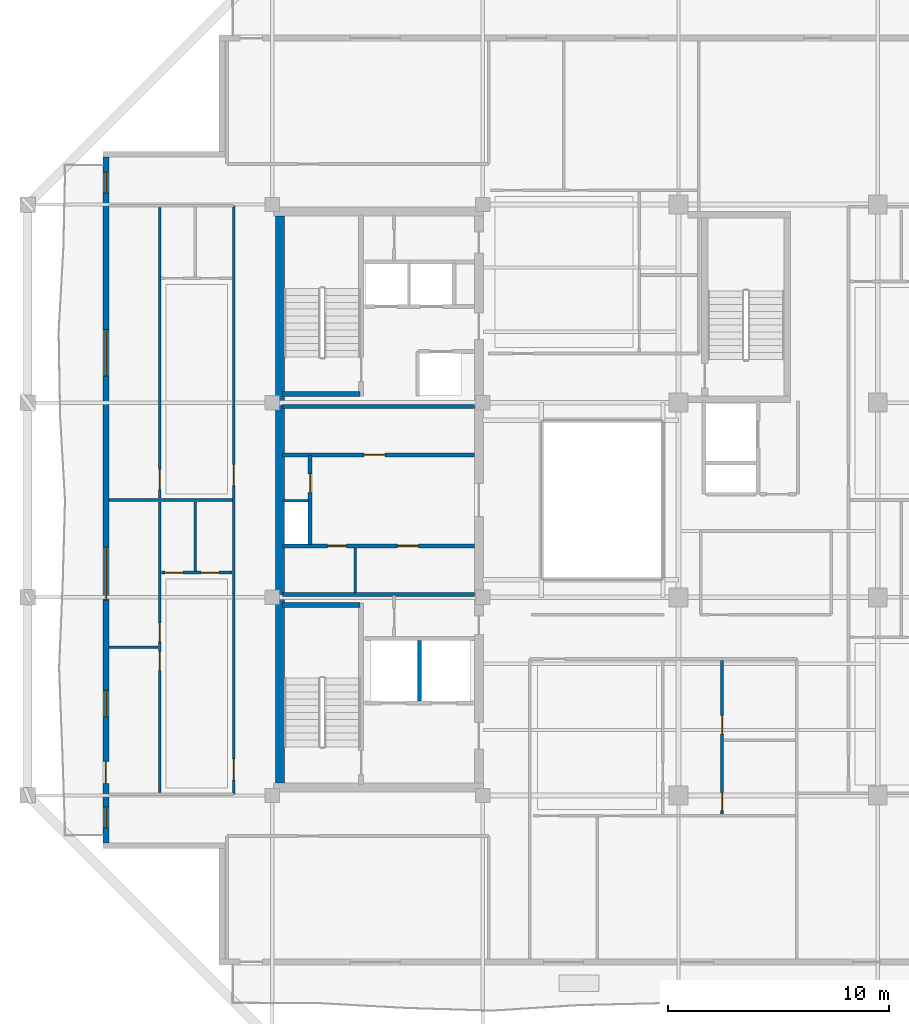
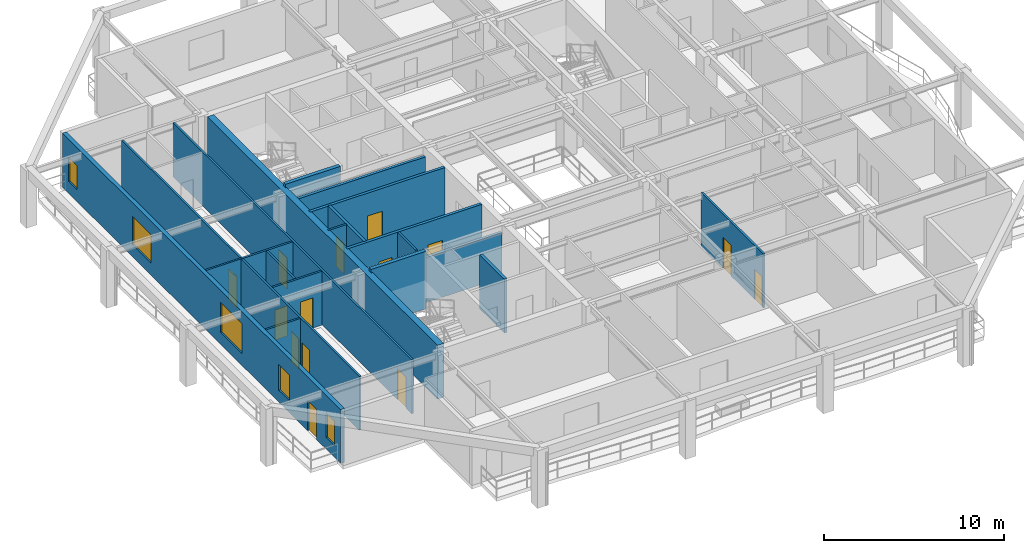
# One storey, part 3 of 11: 20 walls, 14 doors, 5 windows, 19 openings.
"""IFC4 building model written with IfcOpenShell, lengths in metres."""

from ifc_helpers import new_model, si_unit, direction, frame, frame_2d, origin, place, context, subcontext, project, spatial, rectangle, extrude, material, layer, layer_set, type_object, element, fill, save


model = new_model("IFC4")

# Units and contexts
model_context = context("Model", 3, precision=1e-05, world=origin(), true_north=direction((0.0, 1.0)))
body_context = subcontext(model_context, "Body", "Model", "MODEL_VIEW")
ifc_project = project(units=[si_unit("LENGTHUNIT", "METRE"), si_unit("AREAUNIT", "SQUARE_METRE"), si_unit("VOLUMEUNIT", "CUBIC_METRE"), si_unit("PLANEANGLEUNIT", "RADIAN"), si_unit("MASSUNIT", "GRAM", prefix="KILO")], contexts=[model_context])

# Site, building, storey
site_placement = place(None, origin())
site = spatial("IfcSite", under=ifc_project, at=site_placement, CompositionType="ELEMENT")
building_placement = place(site_placement, origin())
building = spatial("IfcBuilding", under=site, at=building_placement, Name="Kundavana Baori Tower", CompositionType="ELEMENT")
storey_placement = place(building_placement, frame((0.0, 0.0, 218.0)))
storey = spatial("IfcBuildingStorey", under=building, at=storey_placement, Name="L53", CompositionType="ELEMENT", Elevation=218.0)

# Walls
ifc_material_1 = material(Name="Concrete C50/60", Category="concrete")
ifc_layer_1 = layer(ifc_material_1, 0.39990234375, Name="WL-CORE-400")
ifc_layer_set_1 = layer_set([ifc_layer_1], Name="Concrete C50/60")
wall_type_1 = type_object("IfcWallType", Name="WL-CORE-400", PredefinedType="SHEAR", material=ifc_layer_set_1)
wall_1_placement = place(storey_placement, frame((15.7900390625, 15.81005859375, 0.0), z_axis=(0.0, 0.0, 1.0), x_axis=(0.0, 1.0, 0.0)))
element("IfcWall", 1, at=wall_1_placement, inside=storey, type_object=wall_type_1, Name="L53 Offset Core West Shear Wall", PredefinedType="SHEAR", context=body_context, shape_type="SweptSolid", body=[
    extrude(rectangle(XDim=25.6298828125, YDim=0.39990234375, at=frame_2d((12.81494140625, 0.0))), origin(), (0.0, 0.0, 1.0), 3.659912109375),
])
for number, where, z_axis, x_axis, name in (
    (2, (15.89990234375, 23.860107421875, 0.0), (0.0, 0.0, 1.0), (1.0, 0.0, 0.0), "WL-L53-ST1-N"),
    (3, (15.89990234375, 33.389892578125, 0.0), (0.0, 0.0, 1.0), (1.0, 0.0, 0.0), "WL-L53-ST2-S"),
):
    element("IfcWall", number, at=place(storey_placement, frame(where, z_axis=z_axis, x_axis=x_axis)), inside=storey, type_object=wall_type_1, Name=name, PredefinedType="SHEAR", context=body_context, shape_type="SweptSolid", body=[
        extrude(rectangle(XDim=3.52001953125, YDim=0.239990234375, at=frame_2d((1.760009765625, 0.0))), origin(), (0.0, 0.0, 1.0), 3.89990234375),
    ])

# Wall, openings, door, windows
ifc_material_2 = material(Name="Kiln-Fired Terracotta Brick-Slip Masonry on Concrete C40/50", Category="masonry")
ifc_layer_2 = layer(ifc_material_2, 0.260009765625, Name="WL-EXT-BRK-260")
ifc_layer_set_2 = layer_set([ifc_layer_2], Name="Kiln-Fired Terracotta Brick-Slip Masonry on Concrete C40/50")
wall_type_2 = type_object("IfcWallType", Name="WL-EXT-BRK-260", PredefinedType="SOLIDWALL", material=ifc_layer_set_2)
wall_2_placement = place(storey_placement, frame((7.929931640625, 44.090087890625, 0.0), z_axis=(0.0, 0.0, 1.0), x_axis=(0.0, -1.0, 0.0)))
wall_2 = element("IfcWall", 4, at=wall_2_placement, inside=storey, type_object=wall_type_2, Name="L53 Exterior Insulated Facade Wall 10", PredefinedType="SOLIDWALL", context=body_context, shape_type="SweptSolid", body=[
    extrude(rectangle(XDim=30.97998046875, YDim=0.260009765625, at=frame_2d((15.489990234375, 0.0))), origin(), (0.0, 0.0, 1.0), 3.659912109375),
])
opening_1_placement = place(wall_2_placement, frame((29.35498046875, 0.0, 0.800048828125)))
opening_1 = element("IfcOpeningElement", 5, at=opening_1_placement, cuts=wall_2, Name="Opening W-13", PredefinedType="OPENING", context=body_context, shape_type="SweptSolid", body=[
    extrude(rectangle(XDim=0.949951171875, YDim=1.64990234375, at=frame_2d((0.47509765625, 0.824951171875))), frame((0.0, 0.14013671875, 0.0), z_axis=(0.0, -1.0, 0.0), x_axis=(1.0, 0.0, 0.0)), (0.0, 0.0, 1.0), 0.280029296875),
])
opening_2_placement = place(wall_2_placement, frame((27.300048828125, 0.0, 0.0)))
opening_2 = element("IfcOpeningElement", 6, at=opening_2_placement, cuts=wall_2, Name="Opening BD-1", PredefinedType="OPENING", context=body_context, shape_type="SweptSolid", body=[
    extrude(rectangle(XDim=1.0, YDim=2.050048828125, at=frame_2d((0.5, 1.02490234375))), frame((0.0, 0.14013671875, 0.0), z_axis=(0.0, -1.0, 0.0), x_axis=(1.0, 0.0, 0.0)), (0.0, 0.0, 1.0), 0.280029296875),
])
opening_3_placement = place(wall_2_placement, frame((24.090087890625, 0.0, 0.800048828125)))
opening_3 = element("IfcOpeningElement", 7, at=opening_3_placement, cuts=wall_2, Name="Opening W-03", PredefinedType="OPENING", context=body_context, shape_type="SweptSolid", body=[
    extrude(rectangle(XDim=1.199951171875, YDim=1.75, at=frame_2d((0.60009765625, 0.875))), frame((0.0, 0.14013671875, 0.0), z_axis=(0.0, -1.0, 0.0), x_axis=(1.0, 0.0, 0.0)), (0.0, 0.0, 1.0), 0.280029296875),
])
opening_4_placement = place(wall_2_placement, frame((17.614990234375, 0.0, 0.800048828125)))
opening_4 = element("IfcOpeningElement", 8, at=opening_4_placement, cuts=wall_2, Name="Opening W-04", PredefinedType="OPENING", context=body_context, shape_type="SweptSolid", body=[
    extrude(rectangle(XDim=2.39990234375, YDim=2.050048828125, at=frame_2d((1.199951171875, 1.02490234375))), frame((0.0, 0.14013671875, 0.0), z_axis=(0.0, -1.0, 0.0), x_axis=(1.0, 0.0, 0.0)), (0.0, 0.0, 1.0), 0.280029296875),
])
opening_5_placement = place(wall_2_placement, frame((7.7900390625, 0.0, 0.800048828125)))
opening_5 = element("IfcOpeningElement", 9, at=opening_5_placement, cuts=wall_2, Name="Opening W-05", PredefinedType="OPENING", context=body_context, shape_type="SweptSolid", body=[
    extrude(rectangle(XDim=2.10009765625, YDim=1.949951171875, at=frame_2d((1.050048828125, 0.97509765625))), frame((0.0, 0.14013671875, 0.0), z_axis=(0.0, -1.0, 0.0), x_axis=(1.0, 0.0, 0.0)), (0.0, 0.0, 1.0), 0.280029296875),
])
opening_6_placement = place(wall_2_placement, frame((0.675048828125, 0.0, 0.800048828125)))
opening_6 = element("IfcOpeningElement", 10, at=opening_6_placement, cuts=wall_2, Name="Opening W-13", PredefinedType="OPENING", context=body_context, shape_type="SweptSolid", body=[
    extrude(rectangle(XDim=0.949951171875, YDim=1.64990234375, at=frame_2d((0.47509765625, 0.824951171875))), frame((0.0, 0.14013671875, 0.0), z_axis=(0.0, -1.0, 0.0), x_axis=(1.0, 0.0, 0.0)), (0.0, 0.0, 1.0), 0.280029296875),
])
ifc_material_3 = material(Name="Architectural Patinated Bronze Metalwork")
door_type_1 = type_object("IfcDoorType", Name="DR-EXT-LOG-1000", OperationType="NOTDEFINED", PredefinedType="DOOR", material=ifc_material_3)
door_1_placement = place(opening_2_placement, frame((1.0, 0.0, 0.0), z_axis=(0.0, 0.0, 1.0), x_axis=(-1.0, 0.0, 0.0)))
door_1 = element("IfcDoor", 11, at=door_1_placement, inside=storey, type_object=door_type_1, Name="L53 Loggia Balcony Access Door W", OperationType="SINGLE_SWING_LEFT", OverallHeight=2.050048828125, OverallWidth=1.0, PredefinedType="DOOR", context=body_context, shape_type="SweptSolid", body=[
    extrude(rectangle(XDim=1.0, YDim=2.050048828125, at=frame_2d((0.5, 1.02490234375))), frame((0.0, 0.02490234375, 0.0), z_axis=(0.0, -1.0, 0.0), x_axis=(1.0, 0.0, 0.0)), (0.0, 0.0, 1.0), 0.050048828125),
])
fill(opening_2, door_1)
ifc_material_4 = material(Name="Double-Glazed Solar-Control Low-E Insulated Glass", Category="glass")
window_type_1 = type_object("IfcWindowType", Name="WIN-LOG-1200x1750", PartitioningType="SINGLE_PANEL", PredefinedType="WINDOW", material=ifc_material_4)
window_1_placement = place(opening_3_placement, origin())
window_1 = element("IfcWindow", 12, at=window_1_placement, inside=storey, type_object=window_type_1, Name="L53 Recessed Loggia Window W-2", OverallHeight=1.75, OverallWidth=1.199951171875, PartitioningType="SINGLE_PANEL", PredefinedType="WINDOW", context=body_context, shape_type="SweptSolid", body=[
    extrude(rectangle(XDim=1.199951171875, YDim=1.75, at=frame_2d((0.60009765625, 0.875))), frame((0.0, 0.030029296875, 0.0), z_axis=(0.0, -1.0, 0.0), x_axis=(1.0, 0.0, 0.0)), (0.0, 0.0, 1.0), 0.06005859375),
])
fill(opening_3, window_1)
ifc_material_5 = material(Name="Double-Glazed Solar-Control Low-E Insulated Glass", Category="glass")
window_type_2 = type_object("IfcWindowType", Name="WIN-LOG-2100x1950", PartitioningType="SINGLE_PANEL", PredefinedType="WINDOW", material=ifc_material_5)
window_2_placement = place(opening_5_placement, origin())
window_2 = element("IfcWindow", 13, at=window_2_placement, inside=storey, type_object=window_type_2, Name="L53 Recessed Loggia Window W-4", OverallHeight=1.949951171875, OverallWidth=2.10009765625, PartitioningType="SINGLE_PANEL", PredefinedType="WINDOW", context=body_context, shape_type="SweptSolid", body=[
    extrude(rectangle(XDim=2.10009765625, YDim=1.949951171875, at=frame_2d((1.050048828125, 0.97509765625))), frame((0.0, 0.030029296875, 0.0), z_axis=(0.0, -1.0, 0.0), x_axis=(1.0, 0.0, 0.0)), (0.0, 0.0, 1.0), 0.06005859375),
])
fill(opening_5, window_2)
ifc_material_6 = material(Name="Double-Glazed Solar-Control Low-E Insulated Glass", Category="glass")
window_type_3 = type_object("IfcWindowType", Name="WIN-LOG-2400x2050", PartitioningType="SINGLE_PANEL", PredefinedType="WINDOW", material=ifc_material_6)
window_3_placement = place(opening_4_placement, origin())
window_3 = element("IfcWindow", 14, at=window_3_placement, inside=storey, type_object=window_type_3, Name="L53 Recessed Loggia Window W-3", OverallHeight=2.050048828125, OverallWidth=2.39990234375, PartitioningType="SINGLE_PANEL", PredefinedType="WINDOW", context=body_context, shape_type="SweptSolid", body=[
    extrude(rectangle(XDim=2.39990234375, YDim=2.050048828125, at=frame_2d((1.199951171875, 1.02490234375))), frame((0.0, 0.030029296875, 0.0), z_axis=(0.0, -1.0, 0.0), x_axis=(1.0, 0.0, 0.0)), (0.0, 0.0, 1.0), 0.06005859375),
])
fill(opening_4, window_3)
ifc_material_7 = material(Name="Double-Glazed Solar-Control Low-E Insulated Glass", Category="glass")
window_type_4 = type_object("IfcWindowType", Name="WIN-LOG-950x1650", PartitioningType="SINGLE_PANEL", PredefinedType="WINDOW", material=ifc_material_7)
window_4_placement = place(opening_1_placement, origin())
window_4 = element("IfcWindow", 15, at=window_4_placement, inside=storey, type_object=window_type_4, Name="L53 Recessed Loggia Window W-1", OverallHeight=1.64990234375, OverallWidth=0.949951171875, PartitioningType="SINGLE_PANEL", PredefinedType="WINDOW", context=body_context, shape_type="SweptSolid", body=[
    extrude(rectangle(XDim=0.949951171875, YDim=1.64990234375, at=frame_2d((0.47509765625, 0.824951171875))), frame((0.0, 0.030029296875, 0.0), z_axis=(0.0, -1.0, 0.0), x_axis=(1.0, 0.0, 0.0)), (0.0, 0.0, 1.0), 0.06005859375),
])
fill(opening_1, window_4)
window_5_placement = place(opening_6_placement, origin())
window_5 = element("IfcWindow", 16, at=window_5_placement, inside=storey, type_object=window_type_4, Name="L53 Recessed Loggia Window W-5", OverallHeight=1.64990234375, OverallWidth=0.949951171875, PartitioningType="SINGLE_PANEL", PredefinedType="WINDOW", context=body_context, shape_type="SweptSolid", body=[
    extrude(rectangle(XDim=0.949951171875, YDim=1.64990234375, at=frame_2d((0.47509765625, 0.824951171875))), frame((0.0, 0.030029296875, 0.0), z_axis=(0.0, -1.0, 0.0), x_axis=(1.0, 0.0, 0.0)), (0.0, 0.0, 1.0), 0.06005859375),
])
fill(opening_6, window_5)

# Walls
ifc_material_8 = material(Name="Acoustic Gypsum Plasterboard on Galvanised Steel Studs", Category="steel")
ifc_layer_3 = layer(ifc_material_8, 0.1201171875, Name="WL-PART-120")
ifc_layer_set_3 = layer_set([ifc_layer_3], Name="Acoustic Gypsum Plasterboard on Galvanised Steel Studs")
wall_type_3 = type_object("IfcWallType", Name="WL-PART-120", PredefinedType="PARTITIONING", material=ifc_layer_set_3)
wall_3_placement = place(storey_placement, frame((19.199951171875, 24.419921875, 0.0), z_axis=(0.0, 0.0, 1.0), x_axis=(0.0, 1.0, 0.0)))
element("IfcWall", 17, at=wall_3_placement, inside=storey, type_object=wall_type_3, Name="WL-L53-FRLOW-DIV", PredefinedType="PARTITIONING", context=body_context, shape_type="SweptSolid", body=[
    extrude(rectangle(XDim=2.02001953125, YDim=0.1201171875, at=frame_2d((1.010009765625, 0.0))), origin(), (0.0, 0.0, 1.0), 3.659912109375),
])
wall_4_placement = place(storey_placement, frame((15.89990234375, 28.56005859375, 0.0), z_axis=(0.0, 0.0, 1.0), x_axis=(1.0, 0.0, 0.0)))
element("IfcWall", 18, at=wall_4_placement, inside=storey, type_object=wall_type_3, Name="WL-L53-RSRW-N", PredefinedType="PARTITIONING", context=body_context, shape_type="SweptSolid", body=[
    extrude(rectangle(XDim=1.2001953125, YDim=0.1201171875, at=frame_2d((0.60009765625, 0.0))), origin(), (0.0, 0.0, 1.0), 3.659912109375),
])

# Wall, openings, doors
wall_5_placement = place(storey_placement, frame((13.699951171875, 15.300048828125, 0.0), z_axis=(0.0, 0.0, 1.0), x_axis=(0.0, 1.0, 0.0)))
wall_5 = element("IfcWall", 19, at=wall_5_placement, inside=storey, type_object=wall_type_3, Name="WL-L53-RW", PredefinedType="PARTITIONING", context=body_context, shape_type="SweptSolid", body=[
    extrude(rectangle(XDim=26.599853515625, YDim=0.1201171875, at=frame_2d((13.2998046875, 0.0))), origin(), (0.0, 0.0, 1.0), 3.659912109375),
])
opening_7_placement = place(wall_5_placement, frame((0.64990234375, 0.0, 0.0)))
opening_7 = element("IfcOpeningElement", 20, at=opening_7_placement, cuts=wall_5, Name="Opening FD-095", PredefinedType="OPENING", context=body_context, shape_type="SweptSolid", body=[
    extrude(rectangle(XDim=0.949951171875, YDim=2.10009765625, at=frame_2d((0.47509765625, 1.050048828125))), frame((0.0, 0.070068359375, 0.0), z_axis=(0.0, -1.0, 0.0), x_axis=(1.0, 0.0, 0.0)), (0.0, 0.0, 1.0), 0.14013671875),
])
opening_8_placement = place(wall_5_placement, frame((13.949951171875, 0.0, 0.0)))
opening_8 = element("IfcOpeningElement", 21, at=opening_8_placement, cuts=wall_5, Name="Opening FD-095", PredefinedType="OPENING", context=body_context, shape_type="SweptSolid", body=[
    extrude(rectangle(XDim=0.949951171875, YDim=2.10009765625, at=frame_2d((0.47509765625, 1.050048828125))), frame((0.0, 0.070068359375, 0.0), z_axis=(0.0, -1.0, 0.0), x_axis=(1.0, 0.0, 0.0)), (0.0, 0.0, 1.0), 0.14013671875),
])
ifc_material_9 = material(Name="Engineered Teak Fire-Rated Timber Door Leaf", Category="wood")
door_type_2 = type_object("IfcDoorType", Name="DR-FD60-950", OperationType="NOTDEFINED", PredefinedType="DOOR", material=ifc_material_9)
door_2_placement = place(opening_7_placement, frame((0.949951171875, 0.0, 0.0), z_axis=(0.0, 0.0, 1.0), x_axis=(-1.0, 0.0, 0.0)))
door_2 = element("IfcDoor", 22, at=door_2_placement, inside=storey, type_object=door_type_2, Name="DR-L53-W1-ENT", OperationType="SINGLE_SWING_LEFT", OverallHeight=2.10009765625, OverallWidth=0.949951171875, PredefinedType="DOOR", context=body_context, shape_type="SweptSolid", body=[
    extrude(rectangle(XDim=0.949951171875, YDim=2.10009765625, at=frame_2d((0.47509765625, 1.050048828125))), frame((0.0, 0.02490234375, 0.0), z_axis=(0.0, -1.0, 0.0), x_axis=(1.0, 0.0, 0.0)), (0.0, 0.0, 1.0), 0.050048828125),
])
fill(opening_7, door_2)
door_3_placement = place(opening_8_placement, frame((0.949951171875, 0.0, 0.0), z_axis=(0.0, 0.0, 1.0), x_axis=(-1.0, 0.0, 0.0)))
door_3 = element("IfcDoor", 23, at=door_3_placement, inside=storey, type_object=door_type_2, Name="DR-L53-W2-ENT", OperationType="SINGLE_SWING_LEFT", OverallHeight=2.10009765625, OverallWidth=0.949951171875, PredefinedType="DOOR", context=body_context, shape_type="SweptSolid", body=[
    extrude(rectangle(XDim=0.949951171875, YDim=2.10009765625, at=frame_2d((0.47509765625, 1.050048828125))), frame((0.0, 0.02490234375, 0.0), z_axis=(0.0, -1.0, 0.0), x_axis=(1.0, 0.0, 0.0)), (0.0, 0.0, 1.0), 0.050048828125),
])
fill(opening_8, door_3)

wall_6_placement = place(storey_placement, frame((10.3701171875, 15.3798828125, 0.0), z_axis=(0.0, 0.0, 1.0), x_axis=(0.0, 1.0, 0.0)))
wall_6 = element("IfcWall", 24, at=wall_6_placement, inside=storey, type_object=wall_type_3, Name="WL-L53-W1-VT", PredefinedType="PARTITIONING", context=body_context, shape_type="SweptSolid", body=[
    extrude(rectangle(XDim=13.14013671875, YDim=0.1201171875, at=frame_2d((6.570068359375, 0.0))), origin(), (0.0, 0.0, 1.0), 3.659912109375),
])
opening_9_placement = place(wall_6_placement, frame((5.52001953125, 0.0, 0.0)))
opening_9 = element("IfcOpeningElement", 25, at=opening_9_placement, cuts=wall_6, Name="Opening ID-085", PredefinedType="OPENING", context=body_context, shape_type="SweptSolid", body=[
    extrude(rectangle(XDim=0.85009765625, YDim=2.080078125, at=frame_2d((0.425048828125, 1.0400390625))), frame((0.0, 0.070068359375, 0.0), z_axis=(0.0, -1.0, 0.0), x_axis=(1.0, 0.0, 0.0)), (0.0, 0.0, 1.0), 0.14013671875),
])
opening_10_placement = place(wall_6_placement, frame((6.820068359375, 0.0, 0.0)))
opening_10 = element("IfcOpeningElement", 26, at=opening_10_placement, cuts=wall_6, Name="Opening ID-085", PredefinedType="OPENING", context=body_context, shape_type="SweptSolid", body=[
    extrude(rectangle(XDim=0.85009765625, YDim=2.080078125, at=frame_2d((0.425048828125, 1.0400390625))), frame((0.0, 0.070068359375, 0.0), z_axis=(0.0, -1.0, 0.0), x_axis=(1.0, 0.0, 0.0)), (0.0, 0.0, 1.0), 0.14013671875),
])
ifc_material_10 = material(Name="Engineered Teak Solid-Core Timber Veneer", Category="wood")
door_type_3 = type_object("IfcDoorType", Name="DR-INT-850", OperationType="NOTDEFINED", PredefinedType="DOOR", material=ifc_material_10)
door_4_placement = place(opening_9_placement, frame((0.85009765625, 0.0, 0.0), z_axis=(0.0, 0.0, 1.0), x_axis=(-1.0, 0.0, 0.0)))
door_4 = element("IfcDoor", 27, at=door_4_placement, inside=storey, type_object=door_type_3, Name="DR-L53-W1-B1", OperationType="SINGLE_SWING_LEFT", OverallHeight=2.080078125, OverallWidth=0.85009765625, PredefinedType="DOOR", context=body_context, shape_type="SweptSolid", body=[
    extrude(rectangle(XDim=0.85009765625, YDim=2.080078125, at=frame_2d((0.425048828125, 1.0400390625))), frame((0.0, 0.02490234375, 0.0), z_axis=(0.0, -1.0, 0.0), x_axis=(1.0, 0.0, 0.0)), (0.0, 0.0, 1.0), 0.050048828125),
])
fill(opening_9, door_4)
door_5_placement = place(opening_10_placement, frame((0.85009765625, 0.0, 0.0), z_axis=(0.0, 0.0, 1.0), x_axis=(-1.0, 0.0, 0.0)))
door_5 = element("IfcDoor", 28, at=door_5_placement, inside=storey, type_object=door_type_3, Name="DR-L53-W1-B2", OperationType="SINGLE_SWING_RIGHT", OverallHeight=2.080078125, OverallWidth=0.85009765625, PredefinedType="DOOR", context=body_context, shape_type="SweptSolid", body=[
    extrude(rectangle(XDim=0.85009765625, YDim=2.080078125, at=frame_2d((0.425048828125, 1.0400390625))), frame((0.0, 0.02490234375, 0.0), z_axis=(0.0, -1.0, 0.0), x_axis=(1.0, 0.0, 0.0)), (0.0, 0.0, 1.0), 0.050048828125),
])
fill(opening_10, door_5)

# Walls
wall_7_placement = place(storey_placement, frame((8.080078125, 21.949951171875, 0.0), z_axis=(0.0, 0.0, 1.0), x_axis=(1.0, 0.0, 0.0)))
element("IfcWall", 29, at=wall_7_placement, inside=storey, type_object=wall_type_3, Name="WL-L53-W1-BDH", PredefinedType="PARTITIONING", context=body_context, shape_type="SweptSolid", body=[
    extrude(rectangle(XDim=2.2099609375, YDim=0.1201171875, at=frame_2d((1.10498046875, 0.0))), origin(), (0.0, 0.0, 1.0), 3.659912109375),
])
wall_8_placement = place(storey_placement, frame((8.080078125, 28.60009765625, 0.0), z_axis=(0.0, 0.0, 1.0), x_axis=(1.0, 0.0, 0.0)))
element("IfcWall", 30, at=wall_8_placement, inside=storey, type_object=wall_type_3, Name="WL-L53-RWD1", PredefinedType="PARTITIONING", context=body_context, shape_type="SweptSolid", body=[
    extrude(rectangle(XDim=5.559814453125, YDim=0.1201171875, at=frame_2d((2.77978515625, 0.0))), origin(), (0.0, 0.0, 1.0), 3.659912109375),
])

# Wall, opening, door
wall_9_placement = place(storey_placement, frame((10.3701171875, 28.679931640625, 0.0), z_axis=(0.0, 0.0, 1.0), x_axis=(0.0, 1.0, 0.0)))
wall_9 = element("IfcWall", 31, at=wall_9_placement, inside=storey, type_object=wall_type_3, Name="WL-L53-W2-VT", PredefinedType="PARTITIONING", context=body_context, shape_type="SweptSolid", body=[
    extrude(rectangle(XDim=13.14013671875, YDim=0.1201171875, at=frame_2d((6.570068359375, 0.0))), origin(), (0.0, 0.0, 1.0), 3.659912109375),
])
opening_11_placement = place(wall_9_placement, frame((0.39990234375, 0.0, 0.0)))
opening_11 = element("IfcOpeningElement", 32, at=opening_11_placement, cuts=wall_9, Name="Opening ID-090", PredefinedType="OPENING", context=body_context, shape_type="SweptSolid", body=[
    extrude(rectangle(XDim=0.89990234375, YDim=2.080078125, at=frame_2d((0.449951171875, 1.0400390625))), frame((0.0, 0.070068359375, 0.0), z_axis=(0.0, -1.0, 0.0), x_axis=(1.0, 0.0, 0.0)), (0.0, 0.0, 1.0), 0.14013671875),
])
ifc_material_11 = material(Name="Engineered Teak Solid-Core Timber Veneer", Category="wood")
door_type_4 = type_object("IfcDoorType", Name="DR-INT-900", OperationType="NOTDEFINED", PredefinedType="DOOR", material=ifc_material_11)
door_6_placement = place(opening_11_placement, frame((0.89990234375, 0.0, 0.0), z_axis=(0.0, 0.0, 1.0), x_axis=(-1.0, 0.0, 0.0)))
door_6 = element("IfcDoor", 33, at=door_6_placement, inside=storey, type_object=door_type_4, Name="DR-L53-W2-B1", OperationType="SINGLE_SWING_LEFT", OverallHeight=2.080078125, OverallWidth=0.89990234375, PredefinedType="DOOR", context=body_context, shape_type="SweptSolid", body=[
    extrude(rectangle(XDim=0.89990234375, YDim=2.080078125, at=frame_2d((0.449951171875, 1.0400390625))), frame((0.0, 0.02490234375, 0.0), z_axis=(0.0, -1.0, 0.0), x_axis=(1.0, 0.0, 0.0)), (0.0, 0.0, 1.0), 0.050048828125),
])
fill(opening_11, door_6)

# Wall
ifc_material_12 = material(Name="Autoclaved Aerated Concrete Blockwork Masonry", Category="masonry")
ifc_layer_4 = layer(ifc_material_12, 0.179931640625, Name="WL-SHAFT-180")
ifc_layer_set_4 = layer_set([ifc_layer_4], Name="Autoclaved Aerated Concrete Blockwork Masonry")
wall_type_4 = type_object("IfcWallType", Name="WL-SHAFT-180", PredefinedType="SOLIDWALL", material=ifc_layer_set_4)
wall_10_placement = place(storey_placement, frame((22.10009765625, 19.510009765625, 0.0), z_axis=(0.0, 0.0, 1.0), x_axis=(0.0, 1.0, 0.0)))
element("IfcWall", 34, at=wall_10_placement, inside=storey, type_object=wall_type_4, Name="WL-L53-FFL-MID", PredefinedType="SOLIDWALL", context=body_context, shape_type="SweptSolid", body=[
    extrude(rectangle(XDim=2.739990234375, YDim=0.179931640625, at=frame_2d((1.3701171875, 0.0))), origin(), (0.0, 0.0, 1.0), 3.659912109375),
])

# Wall, openings, doors
wall_11_placement = place(storey_placement, frame((15.89990234375, 26.52001953125, 0.0), z_axis=(0.0, 0.0, 1.0), x_axis=(1.0, 0.0, 0.0)))
wall_11 = element("IfcWall", 35, at=wall_11_placement, inside=storey, type_object=wall_type_4, Name="WL-L53-LPLOW-N", PredefinedType="SOLIDWALL", context=body_context, shape_type="SweptSolid", body=[
    extrude(rectangle(XDim=8.68017578125, YDim=0.179931640625, at=frame_2d((4.340087890625, 0.0))), origin(), (0.0, 0.0, 1.0), 3.659912109375),
])
opening_12_placement = place(wall_11_placement, frame((2.050048828125, 0.0, 0.0)))
opening_12 = element("IfcOpeningElement", 36, at=opening_12_placement, cuts=wall_11, Name="Opening FD-085", PredefinedType="OPENING", context=body_context, shape_type="SweptSolid", body=[
    extrude(rectangle(XDim=0.85009765625, YDim=2.06005859375, at=frame_2d((0.425048828125, 1.030029296875))), frame((0.0, 0.10009765625, 0.0), z_axis=(0.0, -1.0, 0.0), x_axis=(1.0, 0.0, 0.0)), (0.0, 0.0, 1.0), 0.199951171875),
])
opening_13_placement = place(wall_11_placement, frame((5.199951171875, 0.0, 0.0)))
opening_13 = element("IfcOpeningElement", 37, at=opening_13_placement, cuts=wall_11, Name="Opening FD-095", PredefinedType="OPENING", context=body_context, shape_type="SweptSolid", body=[
    extrude(rectangle(XDim=0.949951171875, YDim=2.10009765625, at=frame_2d((0.47509765625, 1.050048828125))), frame((0.0, 0.10009765625, 0.0), z_axis=(0.0, -1.0, 0.0), x_axis=(1.0, 0.0, 0.0)), (0.0, 0.0, 1.0), 0.199951171875),
])
ifc_material_13 = material(Name="Galvanised Steel Fire-Rated Door Leaf", Category="steel")
door_type_5 = type_object("IfcDoorType", Name="DR-FD60-850", OperationType="NOTDEFINED", PredefinedType="DOOR", material=ifc_material_13)
door_7_placement = place(opening_12_placement, origin())
door_7 = element("IfcDoor", 38, at=door_7_placement, inside=storey, type_object=door_type_5, Name="DR-L53-FRLOW1", OperationType="SINGLE_SWING_LEFT", OverallHeight=2.06005859375, OverallWidth=0.85009765625, PredefinedType="DOOR", context=body_context, shape_type="SweptSolid", body=[
    extrude(rectangle(XDim=0.85009765625, YDim=2.06005859375, at=frame_2d((0.425048828125, 1.030029296875))), frame((0.0, 0.02490234375, 0.0), z_axis=(0.0, -1.0, 0.0), x_axis=(1.0, 0.0, 0.0)), (0.0, 0.0, 1.0), 0.050048828125),
])
fill(opening_12, door_7)
door_8_placement = place(opening_13_placement, origin())
door_8 = element("IfcDoor", 39, at=door_8_placement, inside=storey, type_object=door_type_2, Name="DR-L53-FRLOW2", OperationType="SINGLE_SWING_RIGHT", OverallHeight=2.10009765625, OverallWidth=0.949951171875, PredefinedType="DOOR", context=body_context, shape_type="SweptSolid", body=[
    extrude(rectangle(XDim=0.949951171875, YDim=2.10009765625, at=frame_2d((0.47509765625, 1.050048828125))), frame((0.0, 0.02490234375, 0.0), z_axis=(0.0, -1.0, 0.0), x_axis=(1.0, 0.0, 0.0)), (0.0, 0.0, 1.0), 0.050048828125),
])
fill(opening_13, door_8)

# Wall
wall_12_placement = place(storey_placement, frame((15.89990234375, 24.330078125, 0.0), z_axis=(0.0, 0.0, 1.0), x_axis=(1.0, 0.0, 0.0)))
element("IfcWall", 40, at=wall_12_placement, inside=storey, type_object=wall_type_4, Name="WL-L53-LPLOW-S", PredefinedType="SOLIDWALL", context=body_context, shape_type="SweptSolid", body=[
    extrude(rectangle(XDim=8.68017578125, YDim=0.179931640625, at=frame_2d((4.340087890625, 0.0))), origin(), (0.0, 0.0, 1.0), 3.06005859375),
])

# Wall, opening, door
wall_13_placement = place(storey_placement, frame((17.159912109375, 26.580078125, 0.0), z_axis=(0.0, 0.0, 1.0), x_axis=(0.0, 1.0, 0.0)))
wall_13 = element("IfcWall", 41, at=wall_13_placement, inside=storey, type_object=wall_type_4, Name="WL-L53-RSRW-E", PredefinedType="SOLIDWALL", context=body_context, shape_type="SweptSolid", body=[
    extrude(rectangle(XDim=4.02001953125, YDim=0.179931640625, at=frame_2d((2.010009765625, 0.0))), origin(), (0.0, 0.0, 1.0), 3.659912109375),
])
opening_14_placement = place(wall_13_placement, frame((2.35009765625, 0.0, 0.0)))
opening_14 = element("IfcOpeningElement", 42, at=opening_14_placement, cuts=wall_13, Name="Opening FD-085", PredefinedType="OPENING", context=body_context, shape_type="SweptSolid", body=[
    extrude(rectangle(XDim=0.85009765625, YDim=2.06005859375, at=frame_2d((0.425048828125, 1.030029296875))), frame((0.0, 0.10009765625, 0.0), z_axis=(0.0, -1.0, 0.0), x_axis=(1.0, 0.0, 0.0)), (0.0, 0.0, 1.0), 0.199951171875),
])
door_9_placement = place(opening_14_placement, origin())
door_9 = element("IfcDoor", 43, at=door_9_placement, inside=storey, type_object=door_type_5, Name="DR-L53-CLN", OperationType="SINGLE_SWING_RIGHT", OverallHeight=2.06005859375, OverallWidth=0.85009765625, PredefinedType="DOOR", context=body_context, shape_type="SweptSolid", body=[
    extrude(rectangle(XDim=0.85009765625, YDim=2.06005859375, at=frame_2d((0.425048828125, 1.030029296875))), frame((0.0, 0.02490234375, 0.0), z_axis=(0.0, -1.0, 0.0), x_axis=(1.0, 0.0, 0.0)), (0.0, 0.0, 1.0), 0.050048828125),
])
fill(opening_14, door_9)

wall_14_placement = place(storey_placement, frame((15.89990234375, 30.639892578125, 0.0), z_axis=(0.0, 0.0, 1.0), x_axis=(1.0, 0.0, 0.0)))
wall_14 = element("IfcWall", 44, at=wall_14_placement, inside=storey, type_object=wall_type_4, Name="WL-L53-LPMID-S", PredefinedType="SOLIDWALL", context=body_context, shape_type="SweptSolid", body=[
    extrude(rectangle(XDim=8.68017578125, YDim=0.179931640625, at=frame_2d((4.340087890625, 0.0))), origin(), (0.0, 0.0, 1.0), 3.659912109375),
])
opening_15_placement = place(wall_14_placement, frame((3.699951171875, 0.0, 0.0)))
opening_15 = element("IfcOpeningElement", 45, at=opening_15_placement, cuts=wall_14, Name="Opening FD-095", PredefinedType="OPENING", context=body_context, shape_type="SweptSolid", body=[
    extrude(rectangle(XDim=0.949951171875, YDim=2.10009765625, at=frame_2d((0.47509765625, 1.050048828125))), frame((0.0, 0.10009765625, 0.0), z_axis=(0.0, -1.0, 0.0), x_axis=(1.0, 0.0, 0.0)), (0.0, 0.0, 1.0), 0.199951171875),
])
door_10_placement = place(opening_15_placement, frame((0.949951171875, 0.0, 0.0), z_axis=(0.0, 0.0, 1.0), x_axis=(-1.0, 0.0, 0.0)))
door_10 = element("IfcDoor", 46, at=door_10_placement, inside=storey, type_object=door_type_2, Name="DR-L53-FRMID1", OperationType="SINGLE_SWING_RIGHT", OverallHeight=2.10009765625, OverallWidth=0.949951171875, PredefinedType="DOOR", context=body_context, shape_type="SweptSolid", body=[
    extrude(rectangle(XDim=0.949951171875, YDim=2.10009765625, at=frame_2d((0.47509765625, 1.050048828125))), frame((0.0, 0.02490234375, 0.0), z_axis=(0.0, -1.0, 0.0), x_axis=(1.0, 0.0, 0.0)), (0.0, 0.0, 1.0), 0.050048828125),
])
fill(opening_15, door_10)

# Wall
wall_15_placement = place(storey_placement, frame((15.89990234375, 32.820068359375, 0.0), z_axis=(0.0, 0.0, 1.0), x_axis=(1.0, 0.0, 0.0)))
element("IfcWall", 47, at=wall_15_placement, inside=storey, type_object=wall_type_4, Name="WL-L53-LPMID-N", PredefinedType="SOLIDWALL", context=body_context, shape_type="SweptSolid", body=[
    extrude(rectangle(XDim=8.68017578125, YDim=0.179931640625, at=frame_2d((4.340087890625, 0.0))), origin(), (0.0, 0.0, 1.0), 3.06005859375),
])

# Wall, openings, doors
ifc_material_14 = material(Name="Autoclaved Aerated Concrete Blockwork Masonry", Category="masonry")
ifc_layer_5 = layer(ifc_material_14, 0.125, Name="WL-WET-120")
ifc_layer_set_5 = layer_set([ifc_layer_5], Name="Autoclaved Aerated Concrete Blockwork Masonry")
wall_type_5 = type_object("IfcWallType", Name="WL-WET-120", PredefinedType="PLUMBINGWALL", material=ifc_layer_set_5)
wall_16_placement = place(storey_placement, frame((10.449951171875, 25.320068359375, 0.0), z_axis=(0.0, 0.0, 1.0), x_axis=(1.0, 0.0, 0.0)))
wall_16 = element("IfcWall", 48, at=wall_16_placement, inside=storey, type_object=wall_type_5, Name="WL-L53-W1-KH", PredefinedType="PLUMBINGWALL", context=body_context, shape_type="SweptSolid", body=[
    extrude(rectangle(XDim=3.170166015625, YDim=0.125, at=frame_2d((1.5849609375, 0.0))), origin(), (0.0, 0.0, 1.0), 3.659912109375),
])
opening_16_placement = place(wall_16_placement, frame((0.159912109375, 0.0, 0.0)))
opening_16 = element("IfcOpeningElement", 49, at=opening_16_placement, cuts=wall_16, Name="Opening WD-080", PredefinedType="OPENING", context=body_context, shape_type="SweptSolid", body=[
    extrude(rectangle(XDim=0.800048828125, YDim=2.050048828125, at=frame_2d((0.39990234375, 1.02490234375))), frame((0.0, 0.072509765625, 0.0), z_axis=(0.0, -1.0, 0.0), x_axis=(1.0, 0.0, 0.0)), (0.0, 0.0, 1.0), 0.14501953125),
])
opening_17_placement = place(wall_16_placement, frame((1.781982421875, 0.0, 0.0)))
opening_17 = element("IfcOpeningElement", 50, at=opening_17_placement, cuts=wall_16, Name="Opening WD-080", PredefinedType="OPENING", context=body_context, shape_type="SweptSolid", body=[
    extrude(rectangle(XDim=0.800048828125, YDim=2.050048828125, at=frame_2d((0.39990234375, 1.02490234375))), frame((0.0, 0.072509765625, 0.0), z_axis=(0.0, -1.0, 0.0), x_axis=(1.0, 0.0, 0.0)), (0.0, 0.0, 1.0), 0.14501953125),
])
ifc_material_15 = material(Name="Engineered Teak Solid-Core Timber Veneer", Category="wood")
door_type_6 = type_object("IfcDoorType", Name="DR-WET-800", OperationType="NOTDEFINED", PredefinedType="DOOR", material=ifc_material_15)
door_11_placement = place(opening_16_placement, origin())
door_11 = element("IfcDoor", 51, at=door_11_placement, inside=storey, type_object=door_type_6, Name="DR-L53-W1-BT", OperationType="SINGLE_SWING_LEFT", OverallHeight=2.050048828125, OverallWidth=0.800048828125, PredefinedType="DOOR", context=body_context, shape_type="SweptSolid", body=[
    extrude(rectangle(XDim=0.800048828125, YDim=2.050048828125, at=frame_2d((0.39990234375, 1.02490234375))), frame((0.0, 0.02490234375, 0.0), z_axis=(0.0, -1.0, 0.0), x_axis=(1.0, 0.0, 0.0)), (0.0, 0.0, 1.0), 0.050048828125),
])
fill(opening_16, door_11)
door_12_placement = place(opening_17_placement, origin())
door_12 = element("IfcDoor", 52, at=door_12_placement, inside=storey, type_object=door_type_6, Name="DR-L53-W1-KT", OperationType="SINGLE_SWING_RIGHT", OverallHeight=2.050048828125, OverallWidth=0.800048828125, PredefinedType="DOOR", context=body_context, shape_type="SweptSolid", body=[
    extrude(rectangle(XDim=0.800048828125, YDim=2.050048828125, at=frame_2d((0.39990234375, 1.02490234375))), frame((0.0, 0.02490234375, 0.0), z_axis=(0.0, -1.0, 0.0), x_axis=(1.0, 0.0, 0.0)), (0.0, 0.0, 1.0), 0.050048828125),
])
fill(opening_17, door_12)

# Wall
wall_17_placement = place(storey_placement, frame((11.971923828125, 25.39990234375, 0.0), z_axis=(0.0, 0.0, 1.0), x_axis=(0.0, 1.0, 0.0)))
element("IfcWall", 53, at=wall_17_placement, inside=storey, type_object=wall_type_5, Name="WL-L53-W1-BV", PredefinedType="PLUMBINGWALL", context=body_context, shape_type="SweptSolid", body=[
    extrude(rectangle(XDim=3.1201171875, YDim=0.125, at=frame_2d((1.56005859375, 0.0))), origin(), (0.0, 0.0, 1.0), 3.659912109375),
])

# Wall, openings, doors
wall_18_placement = place(storey_placement, frame((35.77001953125, 14.4208984375, 0.0), z_axis=(0.0, 0.0, 1.0), x_axis=(0.0, 1.0, 0.0)))
wall_18 = element("IfcWall", 54, at=wall_18_placement, inside=storey, type_object=wall_type_5, Name="WL-L53-S1-KT", PredefinedType="PLUMBINGWALL", context=body_context, shape_type="SweptSolid", body=[
    extrude(rectangle(XDim=6.919189453125, YDim=0.125, at=frame_2d((3.45947265625, 0.0))), origin(), (0.0, 0.0, 1.0), 3.659912109375),
])
opening_18_placement = place(wall_18_placement, frame((0.159912109375, 0.0, 0.0)))
opening_18 = element("IfcOpeningElement", 55, at=opening_18_placement, cuts=wall_18, Name="Opening WD-080", PredefinedType="OPENING", context=body_context, shape_type="SweptSolid", body=[
    extrude(rectangle(XDim=0.800048828125, YDim=2.050048828125, at=frame_2d((0.39990234375, 1.02490234375))), frame((0.0, 0.072509765625, 0.0), z_axis=(0.0, -1.0, 0.0), x_axis=(1.0, 0.0, 0.0)), (0.0, 0.0, 1.0), 0.14501953125),
])
opening_19_placement = place(wall_18_placement, frame((3.60107421875, 0.0, 0.0)))
opening_19 = element("IfcOpeningElement", 56, at=opening_19_placement, cuts=wall_18, Name="Opening ID-085", PredefinedType="OPENING", context=body_context, shape_type="SweptSolid", body=[
    extrude(rectangle(XDim=0.85009765625, YDim=2.080078125, at=frame_2d((0.425048828125, 1.0400390625))), frame((0.0, 0.072509765625, 0.0), z_axis=(0.0, -1.0, 0.0), x_axis=(1.0, 0.0, 0.0)), (0.0, 0.0, 1.0), 0.14501953125),
])
door_13_placement = place(opening_19_placement, origin())
door_13 = element("IfcDoor", 57, at=door_13_placement, inside=storey, type_object=door_type_3, Name="DR-L53-S1-KT", OperationType="SINGLE_SWING_RIGHT", OverallHeight=2.080078125, OverallWidth=0.85009765625, PredefinedType="DOOR", context=body_context, shape_type="SweptSolid", body=[
    extrude(rectangle(XDim=0.85009765625, YDim=2.080078125, at=frame_2d((0.425048828125, 1.0400390625))), frame((0.0, 0.02490234375, 0.0), z_axis=(0.0, -1.0, 0.0), x_axis=(1.0, 0.0, 0.0)), (0.0, 0.0, 1.0), 0.050048828125),
])
fill(opening_19, door_13)
door_14_placement = place(opening_18_placement, origin())
door_14 = element("IfcDoor", 58, at=door_14_placement, inside=storey, type_object=door_type_6, Name="DR-L53-S1-BT", OperationType="SINGLE_SWING_LEFT", OverallHeight=2.050048828125, OverallWidth=0.800048828125, PredefinedType="DOOR", context=body_context, shape_type="SweptSolid", body=[
    extrude(rectangle(XDim=0.800048828125, YDim=2.050048828125, at=frame_2d((0.39990234375, 1.02490234375))), frame((0.0, 0.02490234375, 0.0), z_axis=(0.0, -1.0, 0.0), x_axis=(1.0, 0.0, 0.0)), (0.0, 0.0, 1.0), 0.050048828125),
])
fill(opening_18, door_14)

save(model, "model.ifc")
